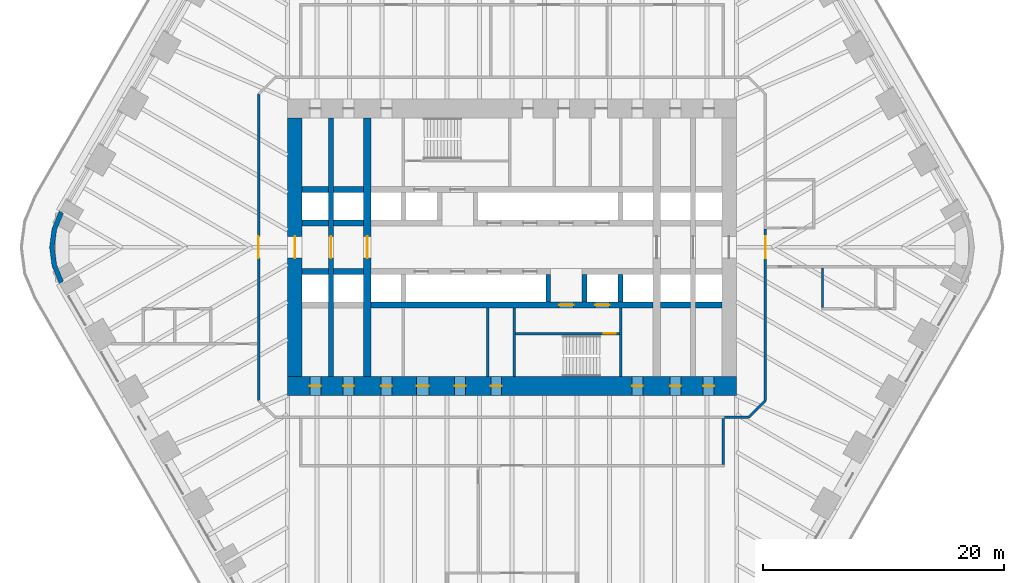
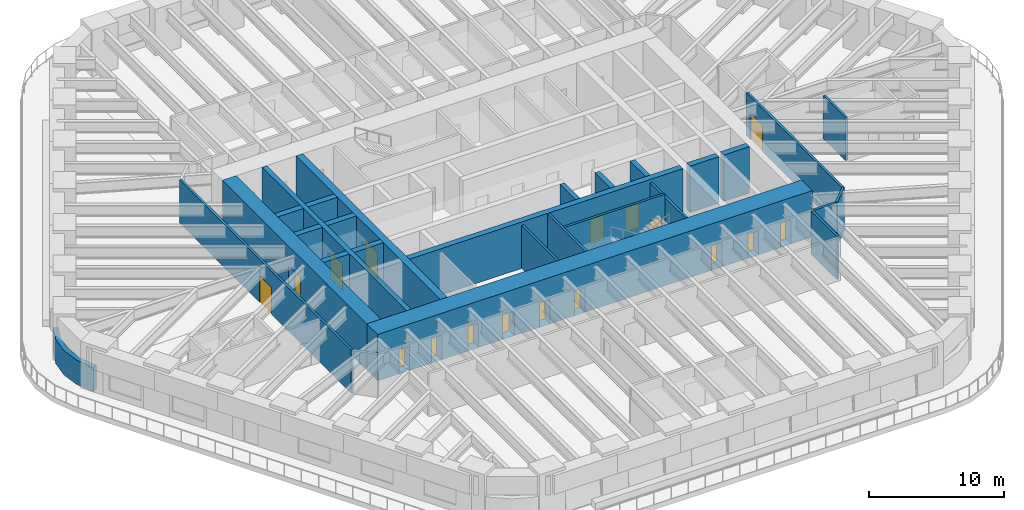
# One storey, part 10 of 16: 27 walls, 17 doors, 17 openings.
"""IFC4 building model written with IfcOpenShell, lengths in metres."""

import ifcopenshell
import ifcopenshell.guid

model = None  # the IFC model being written
_history = None  # IfcOwnerHistory: only IFC2X3 demands one
_inside = {}  # id of a spatial element -> (the spatial element, [elements in it])
_under = {}  # id of a project, library or spatial element -> (it, [spatial elements below it])
_declared = {}  # id of a project -> (the project, [libraries it declares])
_typed = {}  # id of a type object -> (the type object, [elements of that type])
_made_of = {}  # id of a material, layer set ... -> (it, [elements and type objects made of it])


def new_model(schema):
    """Start an empty IFC model of exactly this schema.

    Asked for "IFC4X3", IfcOpenShell would pick the latest addendum, in which some entities
    have other attributes; the version numbers below select the first issue.
    IFC2X3 requires an IfcOwnerHistory on every rooted entity: one is made here for all.
    """
    global model, _history
    if schema == "IFC4X3":
        model = ifcopenshell.file(schema_version=(4, 3, 0, 0))
    else:
        model = ifcopenshell.file(schema=schema)
    _inside.clear()
    _under.clear()
    _declared.clear()
    _typed.clear()
    _made_of.clear()
    _history = None
    if model.schema == "IFC2X3":
        org = make("IfcOrganization", Name="unknown")
        user = make(
            "IfcPersonAndOrganization",
            ThePerson=make("IfcPerson", FamilyName="unknown"),
            TheOrganization=org,
        )
        app = make(
            "IfcApplication",
            ApplicationDeveloper=org,
            Version="unknown",
            ApplicationFullName="unknown",
            ApplicationIdentifier="unknown",
        )
        _history = make(
            "IfcOwnerHistory",
            OwningUser=user,
            OwningApplication=app,
            ChangeAction="ADDED",
            CreationDate=0,
        )
    return model


def make(cls, **values):
    """One entity of the class cls with the attributes given. An attribute that is None is left unset."""
    return model.create_entity(
        cls, **{name: value for name, value in values.items() if value is not None}
    )


def rooted(cls, **values):
    """An entity with a GlobalId (a new one), such as an element, a storey or a relation."""
    return make(cls, GlobalId=ifcopenshell.guid.new(), OwnerHistory=_history, **values)


def si_unit(unit_type, name, prefix=None):
    """IfcSIUnit, for example si_unit("LENGTHUNIT", "METRE", prefix="MILLI")."""
    return make("IfcSIUnit", UnitType=unit_type, Prefix=prefix, Name=name)


def assignment(units):
    """IfcUnitAssignment: the units of a project."""
    return None if units is None else make("IfcUnitAssignment", Units=units)


def point(xyz):
    """IfcCartesianPoint."""
    return None if xyz is None else make("IfcCartesianPoint", Coordinates=xyz)


def direction(xyz):
    """IfcDirection."""
    return None if xyz is None else make("IfcDirection", DirectionRatios=xyz)


def frame(location, z_axis=None, x_axis=None):
    """IfcAxis2Placement3D, a coordinate frame: its origin and axes. An axis left out is left unset."""
    return make(
        "IfcAxis2Placement3D",
        Location=point(location),
        Axis=direction(z_axis),
        RefDirection=direction(x_axis),
    )


def frame_2d(location, x_axis=None):
    """IfcAxis2Placement2D, a coordinate frame in the plane: its origin and x axis."""
    return make(
        "IfcAxis2Placement2D", Location=point(location), RefDirection=direction(x_axis)
    )


def origin():
    """The frame at (0, 0, 0) with its axes left unset."""
    return frame((0.0, 0.0, 0.0))


def place(relative_to, where):
    """IfcLocalPlacement: puts the frame where relative to a parent placement (None: the world)."""
    return make(
        "IfcLocalPlacement", PlacementRelTo=relative_to, RelativePlacement=where
    )


def context(
    kind, dimensions, precision=None, world=None, true_north=None, identifier=None
):
    """IfcGeometricRepresentationContext, for example the 3D "Model" context."""
    return make(
        "IfcGeometricRepresentationContext",
        ContextIdentifier=identifier,
        ContextType=kind,
        CoordinateSpaceDimension=dimensions,
        Precision=precision,
        WorldCoordinateSystem=world,
        TrueNorth=true_north,
    )


def subcontext(parent, identifier, kind, view, scale=None):
    """IfcGeometricRepresentationSubContext, for example "Body" below "Model"."""
    return make(
        "IfcGeometricRepresentationSubContext",
        ContextIdentifier=identifier,
        ContextType=kind,
        ParentContext=parent,
        TargetScale=scale,
        TargetView=view,
    )


def project(units=None, contexts=None):
    """IfcProject with its units and contexts."""
    return rooted(
        "IfcProject",
        Name="project",
        RepresentationContexts=contexts,
        UnitsInContext=assignment(units),
    )


def spatial(cls, under=None, at=None, **own):
    """A site, building, storey or space (cls), placed at a placement, below another one or the project."""
    s = rooted(cls, ObjectPlacement=at, **own)
    if under is not None:
        _under.setdefault(under.id(), (under, []))[1].append(s)
    return s


def polyline(points):
    """IfcPolyline through the points."""
    return make("IfcPolyline", Points=[point(p) for p in points])


def profile(cls, at=None, kind="AREA", **sizes):
    """A parametric profile (cls). Its sizes go by their IFC names, for example OverallWidth=200.0."""
    return make(cls, ProfileType=kind, Position=at, **sizes)


def rectangle(**sizes):
    """IfcRectangleProfileDef."""
    return profile("IfcRectangleProfileDef", **sizes)


def outline(outer, holes=None, kind="AREA"):
    """IfcArbitraryClosedProfileDef: a profile drawn as a closed curve; with holes, ...WithVoids."""
    if holes is None:
        return make("IfcArbitraryClosedProfileDef", ProfileType=kind, OuterCurve=outer)
    return make(
        "IfcArbitraryProfileDefWithVoids",
        ProfileType=kind,
        OuterCurve=outer,
        InnerCurves=holes,
    )


def extrude(swept, where, along, depth):
    """IfcExtrudedAreaSolid: the profile swept, set in the frame where, extruded along a direction by depth."""
    return make(
        "IfcExtrudedAreaSolid",
        SweptArea=swept,
        Position=where,
        ExtrudedDirection=direction(along),
        Depth=depth,
    )


def shape(context_of_items, identifier, shape_type, items):
    """IfcShapeRepresentation: the items that make up one representation, for example the "Body"."""
    return make(
        "IfcShapeRepresentation",
        ContextOfItems=context_of_items,
        RepresentationIdentifier=identifier,
        RepresentationType=shape_type,
        Items=items,
    )


def material(Name=None, Category=None):
    """IfcMaterial."""
    return make("IfcMaterial", Name=Name, Category=Category)


def layer(
    of_material, thickness, ventilated=None, Name=None, Category=None, Priority=None
):
    """IfcMaterialLayer: one layer of a wall or slab, of a material (None: an air gap)."""
    return make(
        "IfcMaterialLayer",
        Material=of_material,
        LayerThickness=thickness,
        IsVentilated=ventilated,
        Name=Name,
        Category=Category,
        Priority=Priority,
    )


def layer_set(layers, Name=None):
    """IfcMaterialLayerSet."""
    return make("IfcMaterialLayerSet", MaterialLayers=layers, LayerSetName=Name)


def made_of(thing, what):
    """Note that an element or type object is made of a material, layer set ...; save() writes the relation."""
    if what is not None:
        _made_of.setdefault(what.id(), (what, []))[1].append(thing)
    return thing


def type_object(cls, material=None, **own):
    """A type object (cls), such as IfcWallType, which elements share."""
    return made_of(rooted(cls, **own), material)


def element(
    cls,
    number,
    at=None,
    inside=None,
    cuts=None,
    type_object=None,
    material=None,
    context=None,
    identifier="Body",
    shape_type=None,
    held_by="IfcProductDefinitionShape",
    body=None,
    shapes=None,
    **own,
):
    """One element of the class cls, such as IfcWall. Its Tag is "e" and its number.

    at: its placement. inside: the storey or other place that contains it. cuts: it is an
    opening in that element (IfcRelVoidsElement). A single representation is given by context,
    identifier, shape_type and body (its items); several are given by shapes. held_by: the class
    of the entity that holds the representations. save() writes the other relations.
    """
    e = rooted(cls, Tag="e%d" % number, ObjectPlacement=at, **own)
    if body is not None:
        shapes = [shape(context, identifier, shape_type, body)]
    if shapes is not None:
        e.Representation = make(held_by, Representations=shapes)
    if inside is not None:
        _inside.setdefault(inside.id(), (inside, []))[1].append(e)
    if cuts is not None:
        rooted(
            "IfcRelVoidsElement", RelatingBuildingElement=cuts, RelatedOpeningElement=e
        )
    if type_object is not None:
        _typed.setdefault(type_object.id(), (type_object, []))[1].append(e)
    return made_of(e, material)


def fill(opening, filler):
    """IfcRelFillsElement: the door or window that sits in an opening."""
    return rooted(
        "IfcRelFillsElement",
        RelatingOpeningElement=opening,
        RelatedBuildingElement=filler,
    )


def aggregate(whole, parts):
    """IfcRelAggregates: a whole, such as a stair, and the parts it consists of."""
    return rooted("IfcRelAggregates", RelatingObject=whole, RelatedObjects=parts)


def save(model, path):
    """Write the relations noted so far, then the file.

    IfcRelAggregates (storeys below a building ...), IfcRelContainedInSpatialStructure (elements
    in a storey), IfcRelDefinesByType, IfcRelAssociatesMaterial and IfcRelDeclares: one each for
    every whole, place, type object, material and project.
    """
    for whole, parts in _under.values():
        aggregate(whole, parts)
    for where, things in _inside.values():
        rooted(
            "IfcRelContainedInSpatialStructure",
            RelatedElements=things,
            RelatingStructure=where,
        )
    for kind, things in _typed.values():
        rooted("IfcRelDefinesByType", RelatedObjects=things, RelatingType=kind)
    for what, things in _made_of.values():
        rooted("IfcRelAssociatesMaterial", RelatedObjects=things, RelatingMaterial=what)
    for by, libraries in _declared.values():
        rooted("IfcRelDeclares", RelatingContext=by, RelatedDefinitions=libraries)
    model.write(path)


model = new_model("IFC4")

# Units and contexts
model_context = context("Model", 3, precision=1e-05, world=origin(), true_north=direction((0.0, 1.0)))
body_context = subcontext(model_context, "Body", "Model", "MODEL_VIEW")
ifc_project = project(units=[si_unit("LENGTHUNIT", "METRE"), si_unit("AREAUNIT", "SQUARE_METRE"), si_unit("VOLUMEUNIT", "CUBIC_METRE"), si_unit("PLANEANGLEUNIT", "RADIAN"), si_unit("MASSUNIT", "GRAM", prefix="KILO")], contexts=[model_context])

# Site, building, storey
site_placement = place(None, origin())
site = spatial("IfcSite", under=ifc_project, at=site_placement, CompositionType="ELEMENT")
building_placement = place(site_placement, origin())
building = spatial("IfcBuilding", under=site, at=building_placement, Name="Tarfa Lantern Tower", CompositionType="ELEMENT")
storey_placement = place(building_placement, frame((0.0, 0.0, 103.300048828125)))
storey = spatial("IfcBuildingStorey", under=building, at=storey_placement, Name="L23", CompositionType="ELEMENT", Elevation=103.300048828125)

# Walls
ifc_material_1 = material(Name="Limestone cladding on blockwork", Category="masonry")
ifc_layer_1 = layer(ifc_material_1, 0.39990234375)
ifc_layer_set_1 = layer_set([ifc_layer_1], Name="EW2 CURVED STONE CORNER 400")
wall_type_1 = type_object("IfcWallType", Name="EW2 CURVED STONE CORNER 400", PredefinedType="SOLIDWALL", material=ifc_layer_set_1)
wall_1_placement = place(storey_placement, origin())
element("IfcWall", 1, at=wall_1_placement, inside=storey, type_object=wall_type_1, Name="Stone corner NW-SW", PredefinedType="SOLIDWALL", context=body_context, shape_type="SweptSolid", body=[
    extrude(outline(polyline([(-37.52783203125, 3.0), (-38.127197265625, 1.552978515625), (-38.33154296875, 0.0), (-38.127197265625, -1.552978515625), (-37.52783203125, -3.0), (-37.181396484375, -2.800048828125), (-37.74072265625, -1.449462890625), (-37.931640625, 0.0), (-37.74072265625, 1.449462890625), (-37.181396484375, 2.800048828125), (-37.52783203125, 3.0)])), origin(), (0.0, 0.0, 1.0), 2.199951171875),
])
ifc_material_2 = material(Name="Concrete blockwork", Category="masonry")
ifc_layer_2 = layer(ifc_material_2, 0.199951171875)
ifc_layer_set_2 = layer_set([ifc_layer_2], Name="IW1 BLOCKWORK PARTITION 200 EI 120")
wall_type_2 = type_object("IfcWallType", Name="IW1 BLOCKWORK PARTITION 200 EI 120", PredefinedType="PARTITIONING", material=ifc_layer_set_2)
for number, where, z_axis, x_axis, name in (
    (2, (9.0, -5.050048828125, 0.0), (0.0, 0.0, 1.0), (0.0, -1.0, 0.0), "Core partition"),
    (3, (-2.0, -5.050048828125, 0.0), (0.0, 0.0, 1.0), (0.0, -1.0, 0.0), "Core partition"),
):
    element("IfcWall", number, at=place(storey_placement, frame(where, z_axis=z_axis, x_axis=x_axis)), inside=storey, type_object=wall_type_2, Name=name, PredefinedType="PARTITIONING", context=body_context, shape_type="SweptSolid", body=[
        extrude(rectangle(XDim=5.64990234375, YDim=0.199951171875, at=frame_2d((2.824951171875, 0.0))), origin(), (0.0, 0.0, 1.0), 3.89990234375),
    ])
ifc_material_3 = material(Name="Gypsum board on steel studs", Category="steel")
ifc_layer_3 = layer(ifc_material_3, 0.2099609375)
ifc_layer_set_3 = layer_set([ifc_layer_3], Name="IW2 ACOUSTIC PARTITION 200")
wall_type_3 = type_object("IfcWallType", Name="IW2 ACOUSTIC PARTITION 200", PredefinedType="PARTITIONING", material=ifc_layer_set_3)
wall_2_placement = place(storey_placement, frame((17.5, -14.199951171875, 0.0), z_axis=(0.0, 0.0, 1.0), x_axis=(0.0, -1.0, 0.0)))
element("IfcWall", 4, at=wall_2_placement, inside=storey, type_object=wall_type_3, Name="Partition", PredefinedType="PARTITIONING", context=body_context, shape_type="SweptSolid", body=[
    extrude(rectangle(XDim=3.800048828125, YDim=0.199951171875, at=frame_2d((1.89990234375, 0.0))), origin(), (0.0, 0.0, 1.0), 3.89990234375),
])

# Wall, opening, door
wall_3_placement = place(storey_placement, frame((21.0, 1.4990234375, 0.0), z_axis=(0.0, 0.0, 1.0), x_axis=(0.0, -1.0, 0.0)))
wall_3 = element("IfcWall", 5, at=wall_3_placement, inside=storey, type_object=wall_type_3, Name="Partition", PredefinedType="PARTITIONING", context=body_context, shape_type="SweptSolid", body=[
    extrude(rectangle(XDim=14.198974609375, YDim=0.199951171875, at=frame_2d((7.099609375, 0.0))), origin(), (0.0, 0.0, 1.0), 3.89990234375),
])
opening_1_placement = place(wall_3_placement, frame((0.59912109375, 0.0, 0.0)))
opening_1 = element("IfcOpeningElement", 6, at=opening_1_placement, cuts=wall_3, Name="Opening D39", PredefinedType="OPENING", context=body_context, shape_type="SweptSolid", body=[
    extrude(rectangle(XDim=1.800048828125, YDim=2.39990234375, at=frame_2d((0.89990234375, 1.199951171875))), frame((0.0, 0.10986328125, 0.0), z_axis=(0.0, -1.0, 0.0), x_axis=(1.0, 0.0, 0.0)), (0.0, 0.0, 1.0), 0.219970703125),
])
ifc_material_4 = material(Name="Timber door", Category="wood")
door_type_1 = type_object("IfcDoorType", Name="DR2 ROOM DOOR 1800x2400", OperationType="DOUBLE_DOOR_SINGLE_SWING", PredefinedType="DOOR", material=ifc_material_4)
door_1_placement = place(opening_1_placement, origin())
door_1 = element("IfcDoor", 7, at=door_1_placement, inside=storey, type_object=door_type_1, Name="Corridor door", OperationType="DOUBLE_DOOR_SINGLE_SWING", OverallHeight=2.39990234375, OverallWidth=1.800048828125, PredefinedType="DOOR", context=body_context, shape_type="SweptSolid", body=[
    extrude(rectangle(XDim=1.800048828125, YDim=2.39990234375, at=frame_2d((0.89990234375, 1.199951171875))), frame((0.0, 0.02490234375, 0.0), z_axis=(0.0, -1.0, 0.0), x_axis=(1.0, 0.0, 0.0)), (0.0, 0.0, 1.0), 0.050048828125),
])
fill(opening_1, door_1)

# Walls
wall_4_placement = place(storey_placement, frame((21.0, -12.699951171875, 0.0), z_axis=(0.0, 0.0, 1.0), x_axis=(-0.707045124756, -0.707168432242, 0.0)))
element("IfcWall", 8, at=wall_4_placement, inside=storey, type_object=wall_type_3, Name="Partition", PredefinedType="PARTITIONING", context=body_context, shape_type="SweptSolid", body=[
    extrude(rectangle(XDim=1.97998046875, YDim=0.199951171875, at=frame_2d((0.989990234375, 0.0))), origin(), (0.0, 0.0, 1.0), 3.89990234375),
])
wall_5_placement = place(storey_placement, frame((19.60009765625, -14.10009765625, 0.0), z_axis=(0.0, 0.0, 1.0), x_axis=(-1.0, 0.0, 0.0)))
element("IfcWall", 9, at=wall_5_placement, inside=storey, type_object=wall_type_3, Name="Partition", PredefinedType="PARTITIONING", context=body_context, shape_type="SweptSolid", body=[
    extrude(rectangle(XDim=2.0, YDim=0.199951171875, at=frame_2d((1.0, 0.0))), origin(), (0.0, 0.0, 1.0), 3.89990234375),
])

# Wall, opening, door
wall_6_placement = place(storey_placement, frame((-21.0, -12.699951171875, 0.0), z_axis=(0.0, 0.0, 1.0), x_axis=(0.0, 1.0, 0.0)))
wall_6 = element("IfcWall", 10, at=wall_6_placement, inside=storey, type_object=wall_type_3, Name="Partition", PredefinedType="PARTITIONING", context=body_context, shape_type="SweptSolid", body=[
    extrude(rectangle(XDim=25.39990234375, YDim=0.199951171875, at=frame_2d((12.699951171875, 0.0))), origin(), (0.0, 0.0, 1.0), 3.89990234375),
])
opening_2_placement = place(wall_6_placement, frame((11.800048828125, 0.0, 0.0)))
opening_2 = element("IfcOpeningElement", 11, at=opening_2_placement, cuts=wall_6, Name="Opening D40", PredefinedType="OPENING", context=body_context, shape_type="SweptSolid", body=[
    extrude(rectangle(XDim=1.800048828125, YDim=2.39990234375, at=frame_2d((0.89990234375, 1.199951171875))), frame((0.0, 0.10986328125, 0.0), z_axis=(0.0, -1.0, 0.0), x_axis=(1.0, 0.0, 0.0)), (0.0, 0.0, 1.0), 0.219970703125),
])
door_2_placement = place(opening_2_placement, origin())
door_2 = element("IfcDoor", 12, at=door_2_placement, inside=storey, type_object=door_type_1, Name="Corridor door", OperationType="DOUBLE_DOOR_SINGLE_SWING", OverallHeight=2.39990234375, OverallWidth=1.800048828125, PredefinedType="DOOR", context=body_context, shape_type="SweptSolid", body=[
    extrude(rectangle(XDim=1.800048828125, YDim=2.39990234375, at=frame_2d((0.89990234375, 1.199951171875))), frame((0.0, 0.02490234375, 0.0), z_axis=(0.0, -1.0, 0.0), x_axis=(1.0, 0.0, 0.0)), (0.0, 0.0, 1.0), 0.050048828125),
])
fill(opening_2, door_2)

# Wall
wall_7_placement = place(storey_placement, frame((25.736572265625, -1.699951171875, 0.0), z_axis=(0.0, 0.0, 1.0), x_axis=(0.0, -1.0, 0.0)))
element("IfcWall", 13, at=wall_7_placement, inside=storey, type_object=wall_type_3, Name="Partition", PredefinedType="PARTITIONING", context=body_context, shape_type="SweptSolid", body=[
    extrude(rectangle(XDim=3.300048828125, YDim=0.199951171875, at=frame_2d((1.64990234375, 0.0))), origin(), (0.0, 0.0, 1.0), 3.89990234375),
])

# Wall, opening, door
ifc_material_5 = material(Name="Concrete C80/95", Category="concrete")
ifc_layer_4 = layer(ifc_material_5, 1.199951171875)
ifc_layer_set_4 = layer_set([ifc_layer_4], Name="SW1 CORE WALL 1200")
wall_type_4 = type_object("IfcWallType", Name="SW1 CORE WALL 1200", PredefinedType="SHEAR", material=ifc_layer_set_4)
wall_8_placement = place(storey_placement, frame((-18.0, 10.699951171875, 0.0), z_axis=(0.0, 0.0, 1.0), x_axis=(0.0, -1.0, 0.0)))
wall_8 = element("IfcWall", 14, at=wall_8_placement, inside=storey, type_object=wall_type_4, Name="Core wall W", PredefinedType="SHEAR", context=body_context, shape_type="SweptSolid", body=[
    extrude(rectangle(XDim=21.39990234375, YDim=1.199951171875, at=frame_2d((10.699951171875, 0.0))), origin(), (0.0, 0.0, 1.0), 4.199951171875),
])
opening_3_placement = place(wall_8_placement, frame((9.800048828125, 0.0, 0.0)))
opening_3 = element("IfcOpeningElement", 15, at=opening_3_placement, cuts=wall_8, Name="Opening D16", PredefinedType="OPENING", context=body_context, shape_type="SweptSolid", body=[
    extrude(rectangle(XDim=1.800048828125, YDim=2.39990234375, at=frame_2d((0.89990234375, 1.199951171875))), frame((0.0, 0.60986328125, 0.0), z_axis=(0.0, -1.0, 0.0), x_axis=(1.0, 0.0, 0.0)), (0.0, 0.0, 1.0), 1.219970703125),
])
ifc_material_6 = material(Name="Steel fire door", Category="steel")
door_type_2 = type_object("IfcDoorType", Name="DL1 LOBBY DOOR 1800x2400", OperationType="DOUBLE_DOOR_SINGLE_SWING", PredefinedType="DOOR", material=ifc_material_6)
door_3_placement = place(opening_3_placement, frame((1.800048828125, 0.0, 0.0), z_axis=(0.0, 0.0, 1.0), x_axis=(-1.0, 0.0, 0.0)))
door_3 = element("IfcDoor", 16, at=door_3_placement, inside=storey, type_object=door_type_2, Name="Lift lobby door", OperationType="DOUBLE_DOOR_SINGLE_SWING", OverallHeight=2.39990234375, OverallWidth=1.800048828125, PredefinedType="DOOR", context=body_context, shape_type="SweptSolid", body=[
    extrude(rectangle(XDim=1.800048828125, YDim=2.39990234375, at=frame_2d((0.89990234375, 1.199951171875))), frame((0.0, 0.02490234375, 0.0), z_axis=(0.0, -1.0, 0.0), x_axis=(1.0, 0.0, 0.0)), (0.0, 0.0, 1.0), 0.050048828125),
])
fill(opening_3, door_3)

# Wall
ifc_layer_5 = layer(ifc_material_5, 0.199951171875)
ifc_layer_set_5 = layer_set([ifc_layer_5], Name="SW12 CORE WALL 200")
wall_type_5 = type_object("IfcWallType", Name="SW12 CORE WALL 200", PredefinedType="SHEAR", material=ifc_layer_set_5)
wall_9_placement = place(storey_placement, frame((0.199951171875, -5.050048828125, 0.0), z_axis=(0.0, 0.0, 1.0), x_axis=(0.0, -1.0, 0.0)))
element("IfcWall", 17, at=wall_9_placement, inside=storey, type_object=wall_type_5, Name="Core wall stair shaft S", PredefinedType="SHEAR", context=body_context, shape_type="SweptSolid", body=[
    extrude(rectangle(XDim=5.64990234375, YDim=0.199951171875, at=frame_2d((2.824951171875, 0.0))), origin(), (0.0, 0.0, 1.0), 4.199951171875),
])

# Wall, opening, door
wall_10_placement = place(storey_placement, frame((8.89990234375, -7.14990234375, 0.0), z_axis=(0.0, 0.0, 1.0), x_axis=(-1.0, 0.0, 0.0)))
wall_10 = element("IfcWall", 18, at=wall_10_placement, inside=storey, type_object=wall_type_5, Name="Core wall stair partition S", PredefinedType="SHEAR", context=body_context, shape_type="SweptSolid", body=[
    extrude(rectangle(XDim=8.599853515625, YDim=0.199951171875, at=frame_2d((4.2998046875, 0.0))), origin(), (0.0, 0.0, 1.0), 4.199951171875),
])
opening_4_placement = place(wall_10_placement, frame((0.300048828125, 0.0, 0.0)))
opening_4 = element("IfcOpeningElement", 19, at=opening_4_placement, cuts=wall_10, Name="Opening D24", PredefinedType="OPENING", context=body_context, shape_type="SweptSolid", body=[
    extrude(rectangle(XDim=1.0, YDim=2.199951171875, at=frame_2d((0.5, 1.10009765625))), frame((0.0, 0.10986328125, 0.0), z_axis=(0.0, -1.0, 0.0), x_axis=(1.0, 0.0, 0.0)), (0.0, 0.0, 1.0), 0.219970703125),
])
door_type_3 = type_object("IfcDoorType", Name="DF2 STAIR DOOR 1000x2200", OperationType="SINGLE_SWING_LEFT", PredefinedType="DOOR", material=ifc_material_6)
door_4_placement = place(opening_4_placement, origin())
door_4 = element("IfcDoor", 20, at=door_4_placement, inside=storey, type_object=door_type_3, Name="Stair door", OperationType="SINGLE_SWING_RIGHT", OverallHeight=2.199951171875, OverallWidth=1.0, PredefinedType="DOOR", context=body_context, shape_type="SweptSolid", body=[
    extrude(rectangle(XDim=1.0, YDim=2.199951171875, at=frame_2d((0.5, 1.10009765625))), frame((0.0, 0.02490234375, 0.0), z_axis=(0.0, -1.0, 0.0), x_axis=(1.0, 0.0, 0.0)), (0.0, 0.0, 1.0), 0.050048828125),
])
fill(opening_4, door_4)

# Walls
ifc_layer_6 = layer(ifc_material_5, 0.5)
ifc_layer_set_6 = layer_set([ifc_layer_6], Name="SW5 CORE WALL 500")
wall_type_6 = type_object("IfcWallType", Name="SW5 CORE WALL 500", PredefinedType="SHEAR", material=ifc_layer_set_6)
wall_11_placement = place(storey_placement, frame((-17.39990234375, 2.0, 0.0), z_axis=(0.0, 0.0, 1.0), x_axis=(1.0, 0.0, 0.0)))
element("IfcWall", 21, at=wall_11_placement, inside=storey, type_object=wall_type_6, Name="Core wall lobby west N", PredefinedType="SHEAR", context=body_context, shape_type="SweptSolid", body=[
    extrude(rectangle(XDim=2.199951171875, YDim=0.5, at=frame_2d((1.10009765625, 0.0))), origin(), (0.0, 0.0, 1.0), 4.199951171875),
])
wall_12_placement = place(storey_placement, frame((-14.800048828125, 2.0, 0.0), z_axis=(0.0, 0.0, 1.0), x_axis=(1.0, 0.0, 0.0)))
element("IfcWall", 22, at=wall_12_placement, inside=storey, type_object=wall_type_6, Name="Core wall lobby west N", PredefinedType="SHEAR", context=body_context, shape_type="SweptSolid", body=[
    extrude(rectangle(XDim=2.5, YDim=0.5, at=frame_2d((1.25, 0.0))), origin(), (0.0, 0.0, 1.0), 4.199951171875),
])
wall_13_placement = place(storey_placement, frame((-17.39990234375, 4.800048828125, 0.0), z_axis=(0.0, 0.0, 1.0), x_axis=(1.0, 0.0, 0.0)))
element("IfcWall", 23, at=wall_13_placement, inside=storey, type_object=wall_type_6, Name="Core wall rear N", PredefinedType="SHEAR", context=body_context, shape_type="SweptSolid", body=[
    extrude(rectangle(XDim=2.199951171875, YDim=0.5, at=frame_2d((1.10009765625, 0.0))), origin(), (0.0, 0.0, 1.0), 4.199951171875),
])
for number, where, z_axis, x_axis, name in (
    (24, (-14.800048828125, 4.800048828125, 0.0), (0.0, 0.0, 1.0), (1.0, 0.0, 0.0), "Core wall rear N"),
    (25, (-12.300048828125, -2.0, 0.0), (0.0, 0.0, 1.0), (-1.0, 0.0, 0.0), "Core wall lobby east S"),
):
    element("IfcWall", number, at=place(storey_placement, frame(where, z_axis=z_axis, x_axis=x_axis)), inside=storey, type_object=wall_type_6, Name=name, PredefinedType="SHEAR", context=body_context, shape_type="SweptSolid", body=[
        extrude(rectangle(XDim=2.5, YDim=0.5, at=frame_2d((1.25, 0.0))), origin(), (0.0, 0.0, 1.0), 4.199951171875),
    ])
for number, where, z_axis, x_axis, name in (
    (26, (-15.199951171875, -2.0, 0.0), (0.0, 0.0, 1.0), (-1.0, 0.0, 0.0), "Core wall lobby east S"),
    (27, (17.39990234375, -4.800048828125, 0.0), (0.0, 0.0, 1.0), (-1.0, 0.0, 0.0), "Core wall rear S"),
):
    element("IfcWall", number, at=place(storey_placement, frame(where, z_axis=z_axis, x_axis=x_axis)), inside=storey, type_object=wall_type_6, Name=name, PredefinedType="SHEAR", context=body_context, shape_type="SweptSolid", body=[
        extrude(rectangle(XDim=2.199951171875, YDim=0.5, at=frame_2d((1.10009765625, 0.0))), origin(), (0.0, 0.0, 1.0), 4.199951171875),
    ])
wall_14_placement = place(storey_placement, frame((14.800048828125, -4.800048828125, 0.0), z_axis=(0.0, 0.0, 1.0), x_axis=(-1.0, 0.0, 0.0)))
element("IfcWall", 28, at=wall_14_placement, inside=storey, type_object=wall_type_6, Name="Core wall rear S", PredefinedType="SHEAR", context=body_context, shape_type="SweptSolid", body=[
    extrude(rectangle(XDim=2.5, YDim=0.5, at=frame_2d((1.25, 0.0))), origin(), (0.0, 0.0, 1.0), 4.199951171875),
])

# Wall, openings, doors
wall_15_placement = place(storey_placement, frame((11.699951171875, -4.800048828125, 0.0), z_axis=(0.0, 0.0, 1.0), x_axis=(-1.0, 0.0, 0.0)))
wall_15 = element("IfcWall", 29, at=wall_15_placement, inside=storey, type_object=wall_type_6, Name="Core wall rear S", PredefinedType="SHEAR", context=body_context, shape_type="SweptSolid", body=[
    extrude(rectangle(XDim=23.39990234375, YDim=0.5, at=frame_2d((11.699951171875, 0.0))), origin(), (0.0, 0.0, 1.0), 4.199951171875),
])
opening_5_placement = place(wall_15_placement, frame((6.60009765625, 0.0, 0.0)))
opening_5 = element("IfcOpeningElement", 30, at=opening_5_placement, cuts=wall_15, Name="Opening D14", PredefinedType="OPENING", context=body_context, shape_type="SweptSolid", body=[
    extrude(rectangle(XDim=1.199951171875, YDim=2.199951171875, at=frame_2d((0.60009765625, 1.10009765625))), frame((0.0, 0.260009765625, 0.0), z_axis=(0.0, -1.0, 0.0), x_axis=(1.0, 0.0, 0.0)), (0.0, 0.0, 1.0), 0.52001953125),
])
opening_6_placement = place(wall_15_placement, frame((3.60009765625, 0.0, 0.0)))
opening_6 = element("IfcOpeningElement", 31, at=opening_6_placement, cuts=wall_15, Name="Opening LD02", PredefinedType="OPENING", context=body_context, shape_type="SweptSolid", body=[
    extrude(rectangle(XDim=1.199951171875, YDim=2.199951171875, at=frame_2d((0.60009765625, 1.10009765625))), frame((0.0, 0.260009765625, 0.0), z_axis=(0.0, -1.0, 0.0), x_axis=(1.0, 0.0, 0.0)), (0.0, 0.0, 1.0), 0.52001953125),
])
door_type_4 = type_object("IfcDoorType", Name="DF1 FIREFIGHTING LOBBY DOOR 1200x2200", OperationType="SINGLE_SWING_LEFT", PredefinedType="DOOR", material=ifc_material_6)
door_5_placement = place(opening_5_placement, origin())
door_5 = element("IfcDoor", 32, at=door_5_placement, inside=storey, type_object=door_type_4, Name="Firefighting lobby door", OperationType="SINGLE_SWING_LEFT", OverallHeight=2.199951171875, OverallWidth=1.199951171875, PredefinedType="DOOR", context=body_context, shape_type="SweptSolid", body=[
    extrude(rectangle(XDim=1.199951171875, YDim=2.199951171875, at=frame_2d((0.60009765625, 1.10009765625))), frame((0.0, 0.02490234375, 0.0), z_axis=(0.0, -1.0, 0.0), x_axis=(1.0, 0.0, 0.0)), (0.0, 0.0, 1.0), 0.050048828125),
])
fill(opening_5, door_5)
ifc_material_7 = material(Name="Stainless steel lift door", Category="steel")
door_type_5 = type_object("IfcDoorType", Name="LD1 LIFT LANDING DOOR 1200x2200", OperationType="SLIDING_TO_LEFT", PredefinedType="DOOR", material=ifc_material_7)
door_6_placement = place(opening_6_placement, origin())
door_6 = element("IfcDoor", 33, at=door_6_placement, inside=storey, type_object=door_type_5, Name="Landing door FL2", OperationType="SLIDING_TO_LEFT", OverallHeight=2.199951171875, OverallWidth=1.199951171875, PredefinedType="DOOR", context=body_context, shape_type="SweptSolid", body=[
    extrude(rectangle(XDim=1.199951171875, YDim=2.199951171875, at=frame_2d((0.60009765625, 1.10009765625))), frame((0.0, 0.02490234375, 0.0), z_axis=(0.0, -1.0, 0.0), x_axis=(1.0, 0.0, 0.0)), (0.0, 0.0, 1.0), 0.050048828125),
])
fill(opening_6, door_6)

# Wall, opening, door
ifc_layer_7 = layer(ifc_material_5, 0.39990234375)
ifc_layer_set_7 = layer_set([ifc_layer_7], Name="SW6 CORE WALL 400")
wall_type_7 = type_object("IfcWallType", Name="SW6 CORE WALL 400", PredefinedType="SHEAR", material=ifc_layer_set_7)
wall_16_placement = place(storey_placement, frame((-15.0, -10.699951171875, 0.0), z_axis=(0.0, 0.0, 1.0), x_axis=(0.0, 1.0, 0.0)))
wall_16 = element("IfcWall", 34, at=wall_16_placement, inside=storey, type_object=wall_type_7, Name="Core wall cross 15 m west", PredefinedType="SHEAR", context=body_context, shape_type="SweptSolid", body=[
    extrude(rectangle(XDim=21.39990234375, YDim=0.39990234375, at=frame_2d((10.699951171875, 0.0))), origin(), (0.0, 0.0, 1.0), 4.199951171875),
])
opening_7_placement = place(wall_16_placement, frame((9.800048828125, 0.0, 0.0)))
opening_7 = element("IfcOpeningElement", 35, at=opening_7_placement, cuts=wall_16, Name="Opening D28", PredefinedType="OPENING", context=body_context, shape_type="SweptSolid", body=[
    extrude(rectangle(XDim=1.800048828125, YDim=2.39990234375, at=frame_2d((0.89990234375, 1.199951171875))), frame((0.0, 0.2099609375, 0.0), z_axis=(0.0, -1.0, 0.0), x_axis=(1.0, 0.0, 0.0)), (0.0, 0.0, 1.0), 0.419921875),
])
door_7_placement = place(opening_7_placement, origin())
door_7 = element("IfcDoor", 36, at=door_7_placement, inside=storey, type_object=door_type_2, Name="Lift lobby door", OperationType="DOUBLE_DOOR_SINGLE_SWING", OverallHeight=2.39990234375, OverallWidth=1.800048828125, PredefinedType="DOOR", context=body_context, shape_type="SweptSolid", body=[
    extrude(rectangle(XDim=1.800048828125, YDim=2.39990234375, at=frame_2d((0.89990234375, 1.199951171875))), frame((0.0, 0.02490234375, 0.0), z_axis=(0.0, -1.0, 0.0), x_axis=(1.0, 0.0, 0.0)), (0.0, 0.0, 1.0), 0.050048828125),
])
fill(opening_7, door_7)

# Walls
for number, where, z_axis, x_axis, name in (
    (37, (9.0, -2.25, 0.0), (0.0, 0.0, 1.0), (0.0, -1.0, 0.0), "Core wall divider S"),
    (38, (6.0, -2.25, 0.0), (0.0, 0.0, 1.0), (0.0, -1.0, 0.0), "Core wall divider S"),
    (39, (3.0, -2.25, 0.0), (0.0, 0.0, 1.0), (0.0, -1.0, 0.0), "Core wall divider S"),
):
    element("IfcWall", number, at=place(storey_placement, frame(where, z_axis=z_axis, x_axis=x_axis)), inside=storey, type_object=wall_type_7, Name=name, PredefinedType="SHEAR", context=body_context, shape_type="SweptSolid", body=[
        extrude(rectangle(XDim=2.300048828125, YDim=0.39990234375, at=frame_2d((1.14990234375, 0.0))), origin(), (0.0, 0.0, 1.0), 4.199951171875),
    ])

# Wall, openings, doors
ifc_layer_8 = layer(ifc_material_5, 1.60009765625)
ifc_layer_set_8 = layer_set([ifc_layer_8], Name="SW7 CORE WALL 1600")
wall_type_8 = type_object("IfcWallType", Name="SW7 CORE WALL 1600", PredefinedType="SHEAR", material=ifc_layer_set_8)
wall_17_placement = place(storey_placement, frame((18.60009765625, -11.5, 0.0), z_axis=(0.0, 0.0, 1.0), x_axis=(-1.0, 0.0, 0.0)))
wall_17 = element("IfcWall", 40, at=wall_17_placement, inside=storey, type_object=wall_type_8, Name="Core wall S", PredefinedType="SHEAR", context=body_context, shape_type="SweptSolid", body=[
    extrude(rectangle(XDim=37.2001953125, YDim=1.60009765625, at=frame_2d((18.60009765625, 0.0))), origin(), (0.0, 0.0, 1.0), 4.199951171875),
])
opening_8_placement = place(wall_17_placement, frame((19.449951171875, 0.0, 0.0)))
opening_8 = element("IfcOpeningElement", 41, at=opening_8_placement, cuts=wall_17, Name="Opening D18", PredefinedType="OPENING", context=body_context, shape_type="SweptSolid", body=[
    extrude(rectangle(XDim=0.89990234375, YDim=2.199951171875, at=frame_2d((0.449951171875, 1.10009765625))), frame((0.0, 0.81005859375, 0.0), z_axis=(0.0, -1.0, 0.0), x_axis=(1.0, 0.0, 0.0)), (0.0, 0.0, 1.0), 1.6201171875),
])
opening_9_placement = place(wall_17_placement, frame((22.449951171875, 0.0, 0.0)))
opening_9 = element("IfcOpeningElement", 42, at=opening_9_placement, cuts=wall_17, Name="Opening D20", PredefinedType="OPENING", context=body_context, shape_type="SweptSolid", body=[
    extrude(rectangle(XDim=0.89990234375, YDim=2.199951171875, at=frame_2d((0.449951171875, 1.10009765625))), frame((0.0, 0.81005859375, 0.0), z_axis=(0.0, -1.0, 0.0), x_axis=(1.0, 0.0, 0.0)), (0.0, 0.0, 1.0), 1.6201171875),
])
opening_10_placement = place(wall_17_placement, frame((25.5, 0.0, 0.0)))
opening_10 = element("IfcOpeningElement", 43, at=opening_10_placement, cuts=wall_17, Name="Opening D22", PredefinedType="OPENING", context=body_context, shape_type="SweptSolid", body=[
    extrude(rectangle(XDim=1.0, YDim=2.199951171875, at=frame_2d((0.5, 1.10009765625))), frame((0.0, 0.81005859375, 0.0), z_axis=(0.0, -1.0, 0.0), x_axis=(1.0, 0.0, 0.0)), (0.0, 0.0, 1.0), 1.6201171875),
])
opening_11_placement = place(wall_17_placement, frame((1.85009765625, 0.0, 0.0)))
opening_11 = element("IfcOpeningElement", 44, at=opening_11_placement, cuts=wall_17, Name="Opening D12", PredefinedType="OPENING", context=body_context, shape_type="SweptSolid", body=[
    extrude(rectangle(XDim=0.89990234375, YDim=2.199951171875, at=frame_2d((0.449951171875, 1.10009765625))), frame((0.0, 0.81005859375, 0.0), z_axis=(0.0, -1.0, 0.0), x_axis=(1.0, 0.0, 0.0)), (0.0, 0.0, 1.0), 1.6201171875),
])
opening_12_placement = place(wall_17_placement, frame((4.60009765625, 0.0, 0.0)))
opening_12 = element("IfcOpeningElement", 45, at=opening_12_placement, cuts=wall_17, Name="Opening D08", PredefinedType="OPENING", context=body_context, shape_type="SweptSolid", body=[
    extrude(rectangle(XDim=0.89990234375, YDim=2.199951171875, at=frame_2d((0.449951171875, 1.10009765625))), frame((0.0, 0.81005859375, 0.0), z_axis=(0.0, -1.0, 0.0), x_axis=(1.0, 0.0, 0.0)), (0.0, 0.0, 1.0), 1.6201171875),
])
opening_13_placement = place(wall_17_placement, frame((7.75, 0.0, 0.0)))
opening_13 = element("IfcOpeningElement", 46, at=opening_13_placement, cuts=wall_17, Name="Opening D10", PredefinedType="OPENING", context=body_context, shape_type="SweptSolid", body=[
    extrude(rectangle(XDim=0.89990234375, YDim=2.199951171875, at=frame_2d((0.449951171875, 1.10009765625))), frame((0.0, 0.81005859375, 0.0), z_axis=(0.0, -1.0, 0.0), x_axis=(1.0, 0.0, 0.0)), (0.0, 0.0, 1.0), 1.6201171875),
])
opening_14_placement = place(wall_17_placement, frame((28.550048828125, 0.0, 0.0)))
opening_14 = element("IfcOpeningElement", 47, at=opening_14_placement, cuts=wall_17, Name="Opening D06", PredefinedType="OPENING", context=body_context, shape_type="SweptSolid", body=[
    extrude(rectangle(XDim=0.89990234375, YDim=2.199951171875, at=frame_2d((0.449951171875, 1.10009765625))), frame((0.0, 0.81005859375, 0.0), z_axis=(0.0, -1.0, 0.0), x_axis=(1.0, 0.0, 0.0)), (0.0, 0.0, 1.0), 1.6201171875),
])
opening_15_placement = place(wall_17_placement, frame((31.699951171875, 0.0, 0.0)))
opening_15 = element("IfcOpeningElement", 48, at=opening_15_placement, cuts=wall_17, Name="Opening D02", PredefinedType="OPENING", context=body_context, shape_type="SweptSolid", body=[
    extrude(rectangle(XDim=0.89990234375, YDim=2.199951171875, at=frame_2d((0.449951171875, 1.10009765625))), frame((0.0, 0.81005859375, 0.0), z_axis=(0.0, -1.0, 0.0), x_axis=(1.0, 0.0, 0.0)), (0.0, 0.0, 1.0), 1.6201171875),
])
opening_16_placement = place(wall_17_placement, frame((34.449951171875, 0.0, 0.0)))
opening_16 = element("IfcOpeningElement", 49, at=opening_16_placement, cuts=wall_17, Name="Opening D04", PredefinedType="OPENING", context=body_context, shape_type="SweptSolid", body=[
    extrude(rectangle(XDim=0.89990234375, YDim=2.199951171875, at=frame_2d((0.449951171875, 1.10009765625))), frame((0.0, 0.81005859375, 0.0), z_axis=(0.0, -1.0, 0.0), x_axis=(1.0, 0.0, 0.0)), (0.0, 0.0, 1.0), 1.6201171875),
])
door_type_6 = type_object("IfcDoorType", Name="DF3 CORE ROOM DOOR 900x2200", OperationType="SINGLE_SWING_LEFT", PredefinedType="DOOR", material=ifc_material_6)
door_8_placement = place(opening_8_placement, frame((0.89990234375, 0.0, 0.0), z_axis=(0.0, 0.0, 1.0), x_axis=(-1.0, 0.0, 0.0)))
door_8 = element("IfcDoor", 50, at=door_8_placement, inside=storey, type_object=door_type_6, Name="Core door", OperationType="SINGLE_SWING_RIGHT", OverallHeight=2.199951171875, OverallWidth=0.89990234375, PredefinedType="DOOR", context=body_context, shape_type="SweptSolid", body=[
    extrude(rectangle(XDim=0.89990234375, YDim=2.199951171875, at=frame_2d((0.449951171875, 1.10009765625))), frame((0.0, 0.02490234375, 0.0), z_axis=(0.0, -1.0, 0.0), x_axis=(1.0, 0.0, 0.0)), (0.0, 0.0, 1.0), 0.050048828125),
])
fill(opening_8, door_8)
door_9_placement = place(opening_9_placement, frame((0.89990234375, 0.0, 0.0), z_axis=(0.0, 0.0, 1.0), x_axis=(-1.0, 0.0, 0.0)))
door_9 = element("IfcDoor", 51, at=door_9_placement, inside=storey, type_object=door_type_6, Name="Core door", OperationType="SINGLE_SWING_LEFT", OverallHeight=2.199951171875, OverallWidth=0.89990234375, PredefinedType="DOOR", context=body_context, shape_type="SweptSolid", body=[
    extrude(rectangle(XDim=0.89990234375, YDim=2.199951171875, at=frame_2d((0.449951171875, 1.10009765625))), frame((0.0, 0.02490234375, 0.0), z_axis=(0.0, -1.0, 0.0), x_axis=(1.0, 0.0, 0.0)), (0.0, 0.0, 1.0), 0.050048828125),
])
fill(opening_9, door_9)
door_type_7 = type_object("IfcDoorType", Name="DF4 CORE ROOM DOOR 1000x2200", OperationType="SINGLE_SWING_LEFT", PredefinedType="DOOR", material=ifc_material_6)
door_10_placement = place(opening_10_placement, frame((1.0, 0.0, 0.0), z_axis=(0.0, 0.0, 1.0), x_axis=(-1.0, 0.0, 0.0)))
door_10 = element("IfcDoor", 52, at=door_10_placement, inside=storey, type_object=door_type_7, Name="Core door", OperationType="SINGLE_SWING_RIGHT", OverallHeight=2.199951171875, OverallWidth=1.0, PredefinedType="DOOR", context=body_context, shape_type="SweptSolid", body=[
    extrude(rectangle(XDim=1.0, YDim=2.199951171875, at=frame_2d((0.5, 1.10009765625))), frame((0.0, 0.02490234375, 0.0), z_axis=(0.0, -1.0, 0.0), x_axis=(1.0, 0.0, 0.0)), (0.0, 0.0, 1.0), 0.050048828125),
])
fill(opening_10, door_10)
door_type_8 = type_object("IfcDoorType", Name="DF5 RISER DOOR 900x2200", OperationType="SINGLE_SWING_LEFT", PredefinedType="DOOR", material=ifc_material_6)
door_11_placement = place(opening_11_placement, frame((0.89990234375, 0.0, 0.0), z_axis=(0.0, 0.0, 1.0), x_axis=(-1.0, 0.0, 0.0)))
door_11 = element("IfcDoor", 53, at=door_11_placement, inside=storey, type_object=door_type_8, Name="Riser door", OperationType="SINGLE_SWING_LEFT", OverallHeight=2.199951171875, OverallWidth=0.89990234375, PredefinedType="DOOR", context=body_context, shape_type="SweptSolid", body=[
    extrude(rectangle(XDim=0.89990234375, YDim=2.199951171875, at=frame_2d((0.449951171875, 1.10009765625))), frame((0.0, 0.02490234375, 0.0), z_axis=(0.0, -1.0, 0.0), x_axis=(1.0, 0.0, 0.0)), (0.0, 0.0, 1.0), 0.050048828125),
])
fill(opening_11, door_11)
door_12_placement = place(opening_12_placement, frame((0.89990234375, 0.0, 0.0), z_axis=(0.0, 0.0, 1.0), x_axis=(-1.0, 0.0, 0.0)))
door_12 = element("IfcDoor", 54, at=door_12_placement, inside=storey, type_object=door_type_8, Name="Riser door", OperationType="SINGLE_SWING_LEFT", OverallHeight=2.199951171875, OverallWidth=0.89990234375, PredefinedType="DOOR", context=body_context, shape_type="SweptSolid", body=[
    extrude(rectangle(XDim=0.89990234375, YDim=2.199951171875, at=frame_2d((0.449951171875, 1.10009765625))), frame((0.0, 0.02490234375, 0.0), z_axis=(0.0, -1.0, 0.0), x_axis=(1.0, 0.0, 0.0)), (0.0, 0.0, 1.0), 0.050048828125),
])
fill(opening_12, door_12)
door_13_placement = place(opening_13_placement, frame((0.89990234375, 0.0, 0.0), z_axis=(0.0, 0.0, 1.0), x_axis=(-1.0, 0.0, 0.0)))
door_13 = element("IfcDoor", 55, at=door_13_placement, inside=storey, type_object=door_type_8, Name="Riser door", OperationType="SINGLE_SWING_LEFT", OverallHeight=2.199951171875, OverallWidth=0.89990234375, PredefinedType="DOOR", context=body_context, shape_type="SweptSolid", body=[
    extrude(rectangle(XDim=0.89990234375, YDim=2.199951171875, at=frame_2d((0.449951171875, 1.10009765625))), frame((0.0, 0.02490234375, 0.0), z_axis=(0.0, -1.0, 0.0), x_axis=(1.0, 0.0, 0.0)), (0.0, 0.0, 1.0), 0.050048828125),
])
fill(opening_13, door_13)
door_14_placement = place(opening_14_placement, frame((0.89990234375, 0.0, 0.0), z_axis=(0.0, 0.0, 1.0), x_axis=(-1.0, 0.0, 0.0)))
door_14 = element("IfcDoor", 56, at=door_14_placement, inside=storey, type_object=door_type_8, Name="Riser door", OperationType="SINGLE_SWING_RIGHT", OverallHeight=2.199951171875, OverallWidth=0.89990234375, PredefinedType="DOOR", context=body_context, shape_type="SweptSolid", body=[
    extrude(rectangle(XDim=0.89990234375, YDim=2.199951171875, at=frame_2d((0.449951171875, 1.10009765625))), frame((0.0, 0.02490234375, 0.0), z_axis=(0.0, -1.0, 0.0), x_axis=(1.0, 0.0, 0.0)), (0.0, 0.0, 1.0), 0.050048828125),
])
fill(opening_14, door_14)
door_15_placement = place(opening_15_placement, frame((0.89990234375, 0.0, 0.0), z_axis=(0.0, 0.0, 1.0), x_axis=(-1.0, 0.0, 0.0)))
door_15 = element("IfcDoor", 57, at=door_15_placement, inside=storey, type_object=door_type_8, Name="Riser door", OperationType="SINGLE_SWING_RIGHT", OverallHeight=2.199951171875, OverallWidth=0.89990234375, PredefinedType="DOOR", context=body_context, shape_type="SweptSolid", body=[
    extrude(rectangle(XDim=0.89990234375, YDim=2.199951171875, at=frame_2d((0.449951171875, 1.10009765625))), frame((0.0, 0.02490234375, 0.0), z_axis=(0.0, -1.0, 0.0), x_axis=(1.0, 0.0, 0.0)), (0.0, 0.0, 1.0), 0.050048828125),
])
fill(opening_15, door_15)
door_16_placement = place(opening_16_placement, frame((0.89990234375, 0.0, 0.0), z_axis=(0.0, 0.0, 1.0), x_axis=(-1.0, 0.0, 0.0)))
door_16 = element("IfcDoor", 58, at=door_16_placement, inside=storey, type_object=door_type_8, Name="Riser door", OperationType="SINGLE_SWING_RIGHT", OverallHeight=2.199951171875, OverallWidth=0.89990234375, PredefinedType="DOOR", context=body_context, shape_type="SweptSolid", body=[
    extrude(rectangle(XDim=0.89990234375, YDim=2.199951171875, at=frame_2d((0.449951171875, 1.10009765625))), frame((0.0, 0.02490234375, 0.0), z_axis=(0.0, -1.0, 0.0), x_axis=(1.0, 0.0, 0.0)), (0.0, 0.0, 1.0), 0.050048828125),
])
fill(opening_16, door_16)

# Wall, opening, door
ifc_layer_9 = layer(ifc_material_5, 0.60009765625)
ifc_layer_set_9 = layer_set([ifc_layer_9], Name="SW9 CORE WALL 600")
wall_type_9 = type_object("IfcWallType", Name="SW9 CORE WALL 600", PredefinedType="SHEAR", material=ifc_layer_set_9)
wall_18_placement = place(storey_placement, frame((-12.0, -10.699951171875, 0.0), z_axis=(0.0, 0.0, 1.0), x_axis=(0.0, 1.0, 0.0)))
wall_18 = element("IfcWall", 59, at=wall_18_placement, inside=storey, type_object=wall_type_9, Name="Core wall cross 12 m west", PredefinedType="SHEAR", context=body_context, shape_type="SweptSolid", body=[
    extrude(rectangle(XDim=21.39990234375, YDim=0.60009765625, at=frame_2d((10.699951171875, 0.0))), origin(), (0.0, 0.0, 1.0), 4.199951171875),
])
opening_17_placement = place(wall_18_placement, frame((9.800048828125, 0.0, 0.0)))
opening_17 = element("IfcOpeningElement", 60, at=opening_17_placement, cuts=wall_18, Name="Opening D27", PredefinedType="OPENING", context=body_context, shape_type="SweptSolid", body=[
    extrude(rectangle(XDim=1.800048828125, YDim=2.39990234375, at=frame_2d((0.89990234375, 1.199951171875))), frame((0.0, 0.31005859375, 0.0), z_axis=(0.0, -1.0, 0.0), x_axis=(1.0, 0.0, 0.0)), (0.0, 0.0, 1.0), 0.6201171875),
])
door_17_placement = place(opening_17_placement, origin())
door_17 = element("IfcDoor", 61, at=door_17_placement, inside=storey, type_object=door_type_2, Name="Lift lobby door", OperationType="DOUBLE_DOOR_SINGLE_SWING", OverallHeight=2.39990234375, OverallWidth=1.800048828125, PredefinedType="DOOR", context=body_context, shape_type="SweptSolid", body=[
    extrude(rectangle(XDim=1.800048828125, YDim=2.39990234375, at=frame_2d((0.89990234375, 1.199951171875))), frame((0.0, 0.02490234375, 0.0), z_axis=(0.0, -1.0, 0.0), x_axis=(1.0, 0.0, 0.0)), (0.0, 0.0, 1.0), 0.050048828125),
])
fill(opening_17, door_17)

save(model, "model.ifc")
